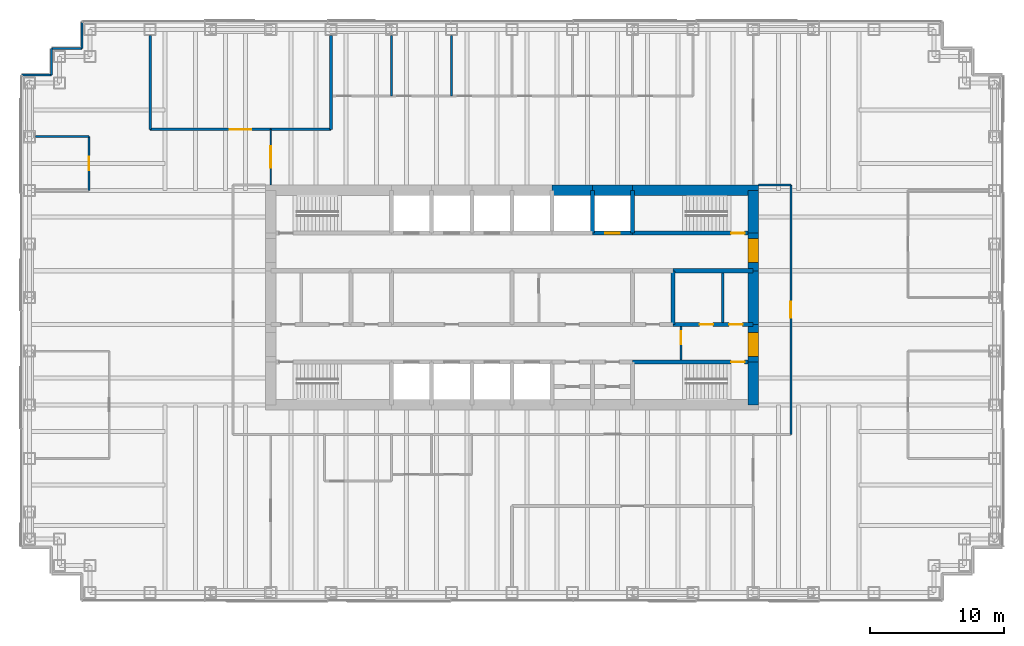
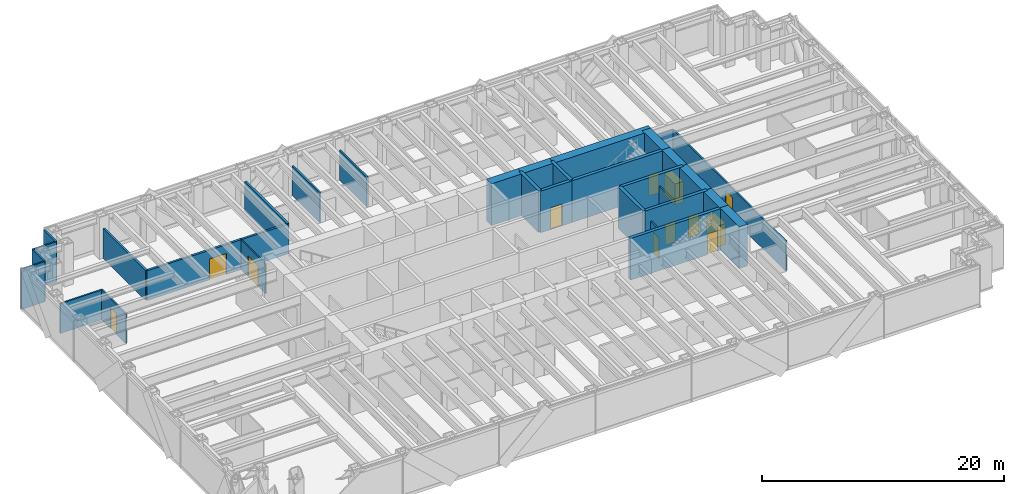
# One storey, part 12 of 14: 32 walls, 12 doors, 12 openings.
"""IFC4 building model written with IfcOpenShell, lengths in metres."""

from ifc_helpers import new_model, si_unit, direction, frame, frame_2d, origin, place, context, subcontext, project, spatial, rectangle, extrude, material, layer, layer_set, type_object, element, fill, save


model = new_model("IFC4")

# Units and contexts
model_context = context("Model", 3, precision=1e-05, world=origin(), true_north=direction((0.0, 1.0)))
body_context = subcontext(model_context, "Body", "Model", "MODEL_VIEW")
ifc_project = project(units=[si_unit("LENGTHUNIT", "METRE"), si_unit("AREAUNIT", "SQUARE_METRE"), si_unit("VOLUMEUNIT", "CUBIC_METRE"), si_unit("PLANEANGLEUNIT", "RADIAN"), si_unit("MASSUNIT", "GRAM", prefix="KILO")], contexts=[model_context])

# Site, building, storey
site_placement = place(None, origin())
site = spatial("IfcSite", under=ifc_project, at=site_placement, CompositionType="ELEMENT")
building_placement = place(site_placement, origin())
building = spatial("IfcBuilding", under=site, at=building_placement, Name="Rheinbord Bourse Tower", CompositionType="ELEMENT")
storey_placement = place(building_placement, frame((0.0, 0.0, 232.0)))
storey = spatial("IfcBuildingStorey", under=building, at=storey_placement, Name="L52", CompositionType="ELEMENT", Elevation=232.0)

# Wall, opening, door
ifc_material_1 = material(Name="Acoustic gypsum board partition", Category="gypsum board")
ifc_layer_1 = layer(ifc_material_1, 0.199951171875)
ifc_layer_set_1 = layer_set([ifc_layer_1], Name="ACOUSTIC PARTITION 200")
wall_type_1 = type_object("IfcWallType", Name="ACOUSTIC PARTITION 200", PredefinedType="PARTITIONING", material=ifc_layer_set_1)
wall_1_placement = place(storey_placement, frame((9.0, 36.550048828125, 0.0), z_axis=(0.0, 0.0, 1.0), x_axis=(1.0, 0.0, 0.0)))
wall_1 = element("IfcWall", 1, at=wall_1_placement, inside=storey, type_object=wall_type_1, Name="Partition L52-17", PredefinedType="PARTITIONING", context=body_context, shape_type="SweptSolid", body=[
    extrude(rectangle(XDim=13.5, YDim=0.199951171875, at=frame_2d((6.75, 0.0))), origin(), (0.0, 0.0, 1.0), 3.0),
])
opening_1_placement = place(wall_1_placement, frame((5.949951171875, 0.0, 0.0)))
opening_1 = element("IfcOpeningElement", 2, at=opening_1_placement, cuts=wall_1, Name="Opening 52D09", PredefinedType="OPENING", context=body_context, shape_type="SweptSolid", body=[
    extrude(rectangle(XDim=1.60009765625, YDim=2.10009765625, at=frame_2d((0.800048828125, 1.050048828125))), frame((0.0, 0.10986328125, 0.0), z_axis=(0.0, -1.0, 0.0), x_axis=(1.0, 0.0, 0.0)), (0.0, 0.0, 1.0), 0.219970703125),
])
ifc_material_2 = material(Name="Timber door", Category="wood")
door_type_1 = type_object("IfcDoorType", Name="DOUBLE ROOM DOOR 1600", OperationType="DOUBLE_DOOR_DOUBLE_SWING", PredefinedType="DOOR", material=ifc_material_2)
door_1_placement = place(opening_1_placement, origin())
door_1 = element("IfcDoor", 3, at=door_1_placement, inside=storey, type_object=door_type_1, Name="Board room door L52", OperationType="SINGLE_SWING_LEFT", OverallHeight=2.10009765625, OverallWidth=1.60009765625, PredefinedType="DOOR", context=body_context, shape_type="SweptSolid", body=[
    extrude(rectangle(XDim=1.60009765625, YDim=2.10009765625, at=frame_2d((0.800048828125, 1.050048828125))), frame((0.0, 0.02490234375, 0.0), z_axis=(0.0, -1.0, 0.0), x_axis=(1.0, 0.0, 0.0)), (0.0, 0.0, 1.0), 0.050048828125),
])
fill(opening_1, door_1)

# Walls
for number, where, z_axis, x_axis, name in (
    (4, (9.0, 36.550048828125, 0.0), (0.0, 0.0, 1.0), (0.0, 1.0, 0.0), "Partition L52-21"),
    (5, (22.5, 36.550048828125, 0.0), (0.0, 0.0, 1.0), (0.0, 1.0, 0.0), "Partition L52-26"),
):
    element("IfcWall", number, at=place(storey_placement, frame(where, z_axis=z_axis, x_axis=x_axis)), inside=storey, type_object=wall_type_1, Name=name, PredefinedType="PARTITIONING", context=body_context, shape_type="SweptSolid", body=[
        extrude(rectangle(XDim=7.0, YDim=0.199951171875, at=frame_2d((3.5, 0.0))), origin(), (0.0, 0.0, 1.0), 3.0),
    ])

# Wall, opening, door
ifc_material_3 = material(Name="Concrete C50/60", Category="concrete")
ifc_layer_2 = layer(ifc_material_3, 0.300048828125)
ifc_layer_set_2 = layer_set([ifc_layer_2], Name="CORE INNER WALL 300")
wall_type_2 = type_object("IfcWallType", Name="CORE INNER WALL 300", PredefinedType="SOLIDWALL", material=ifc_layer_set_2)
wall_2_placement = place(storey_placement, frame((45.0, 19.199951171875, 0.0), z_axis=(0.0, 0.0, 1.0), x_axis=(1.0, 0.0, 0.0)))
wall_2 = element("IfcWall", 6, at=wall_2_placement, inside=storey, type_object=wall_type_2, Name="Core wall A8 L52", PredefinedType="SOLIDWALL", context=body_context, shape_type="SweptSolid", body=[
    extrude(rectangle(XDim=9.0, YDim=0.300048828125, at=frame_2d((4.5, 0.0))), origin(), (0.0, 0.0, 1.0), 4.199951171875),
])
opening_2_placement = place(wall_2_placement, frame((7.35009765625, 0.0, 0.0)))
opening_2 = element("IfcOpeningElement", 7, at=opening_2_placement, cuts=wall_2, Name="Opening 5230", PredefinedType="OPENING", context=body_context, shape_type="SweptSolid", body=[
    extrude(rectangle(XDim=1.0, YDim=2.10009765625, at=frame_2d((0.5, 1.050048828125))), frame((0.0, 0.159912109375, 0.0), z_axis=(0.0, -1.0, 0.0), x_axis=(1.0, 0.0, 0.0)), (0.0, 0.0, 1.0), 0.320068359375),
])
ifc_material_4 = material(Name="Steel door", Category="steel")
door_type_2 = type_object("IfcDoorType", Name="DOOR 1000 EI30", OperationType="SINGLE_SWING_LEFT", PredefinedType="DOOR", material=ifc_material_4)
door_2_placement = place(opening_2_placement, origin())
door_2 = element("IfcDoor", 8, at=door_2_placement, inside=storey, type_object=door_type_2, Name="Stair door ST3 L52", OperationType="SINGLE_SWING_RIGHT", OverallHeight=2.10009765625, OverallWidth=1.0, PredefinedType="DOOR", context=body_context, shape_type="SweptSolid", body=[
    extrude(rectangle(XDim=1.0, YDim=2.10009765625, at=frame_2d((0.5, 1.050048828125))), frame((0.0, 0.02490234375, 0.0), z_axis=(0.0, -1.0, 0.0), x_axis=(1.0, 0.0, 0.0)), (0.0, 0.0, 1.0), 0.050048828125),
])
fill(opening_2, door_2)

wall_3_placement = place(storey_placement, frame((42.0, 28.800048828125, 0.0), z_axis=(0.0, 0.0, 1.0), x_axis=(1.0, 0.0, 0.0)))
wall_3 = element("IfcWall", 9, at=wall_3_placement, inside=storey, type_object=wall_type_2, Name="Core wall B7 L52", PredefinedType="SOLIDWALL", context=body_context, shape_type="SweptSolid", body=[
    extrude(rectangle(XDim=3.0, YDim=0.300048828125, at=frame_2d((1.5, 0.0))), origin(), (0.0, 0.0, 1.0), 4.199951171875),
])
opening_3_placement = place(wall_3_placement, frame((0.949951171875, 0.0, 0.0)))
opening_3 = element("IfcOpeningElement", 10, at=opening_3_placement, cuts=wall_3, Name="Opening FL2", PredefinedType="OPENING", context=body_context, shape_type="SweptSolid", body=[
    extrude(rectangle(XDim=1.10009765625, YDim=2.199951171875, at=frame_2d((0.550048828125, 1.10009765625))), frame((0.0, 0.159912109375, 0.0), z_axis=(0.0, -1.0, 0.0), x_axis=(1.0, 0.0, 0.0)), (0.0, 0.0, 1.0), 0.320068359375),
])
ifc_material_5 = material(Name="Steel landing door", Category="steel")
door_type_3 = type_object("IfcDoorType", Name="LIFT LANDING DOOR 1100", OperationType="DOUBLE_DOOR_SLIDING", PredefinedType="USERDEFINED", material=ifc_material_5)
door_3_placement = place(opening_3_placement, origin())
door_3 = element("IfcDoor", 11, at=door_3_placement, inside=storey, type_object=door_type_3, Name="Lift landing door FL2 L52", ObjectType="LIFT LANDING DOOR", OperationType="DOUBLE_DOOR_SLIDING", OverallHeight=2.199951171875, OverallWidth=1.10009765625, PredefinedType="USERDEFINED", context=body_context, shape_type="SweptSolid", body=[
    extrude(rectangle(XDim=1.10009765625, YDim=2.199951171875, at=frame_2d((0.550048828125, 1.10009765625))), frame((0.0, 0.02490234375, 0.0), z_axis=(0.0, -1.0, 0.0), x_axis=(1.0, 0.0, 0.0)), (0.0, 0.0, 1.0), 0.050048828125),
])
fill(opening_3, door_3)

wall_4_placement = place(storey_placement, frame((45.0, 28.800048828125, 0.0), z_axis=(0.0, 0.0, 1.0), x_axis=(1.0, 0.0, 0.0)))
wall_4 = element("IfcWall", 12, at=wall_4_placement, inside=storey, type_object=wall_type_2, Name="Core wall B8 L52", PredefinedType="SOLIDWALL", context=body_context, shape_type="SweptSolid", body=[
    extrude(rectangle(XDim=9.0, YDim=0.300048828125, at=frame_2d((4.5, 0.0))), origin(), (0.0, 0.0, 1.0), 4.199951171875),
])
opening_4_placement = place(wall_4_placement, frame((7.35009765625, 0.0, 0.0)))
opening_4 = element("IfcOpeningElement", 13, at=opening_4_placement, cuts=wall_4, Name="Opening 5240", PredefinedType="OPENING", context=body_context, shape_type="SweptSolid", body=[
    extrude(rectangle(XDim=1.0, YDim=2.10009765625, at=frame_2d((0.5, 1.050048828125))), frame((0.0, 0.159912109375, 0.0), z_axis=(0.0, -1.0, 0.0), x_axis=(1.0, 0.0, 0.0)), (0.0, 0.0, 1.0), 0.320068359375),
])
door_4_placement = place(opening_4_placement, origin())
door_4 = element("IfcDoor", 14, at=door_4_placement, inside=storey, type_object=door_type_2, Name="Stair door ST4 L52", OperationType="SINGLE_SWING_RIGHT", OverallHeight=2.10009765625, OverallWidth=1.0, PredefinedType="DOOR", context=body_context, shape_type="SweptSolid", body=[
    extrude(rectangle(XDim=1.0, YDim=2.10009765625, at=frame_2d((0.5, 1.050048828125))), frame((0.0, 0.02490234375, 0.0), z_axis=(0.0, -1.0, 0.0), x_axis=(1.0, 0.0, 0.0)), (0.0, 0.0, 1.0), 0.050048828125),
])
fill(opening_4, door_4)

# Wall, openings, doors
wall_5_placement = place(storey_placement, frame((48.0, 22.0, 0.0), z_axis=(0.0, 0.0, 1.0), x_axis=(1.0, 0.0, 0.0)))
wall_5 = element("IfcWall", 15, at=wall_5_placement, inside=storey, type_object=wall_type_2, Name="Core wall C6 L52", PredefinedType="SOLIDWALL", context=body_context, shape_type="SweptSolid", body=[
    extrude(rectangle(XDim=6.0, YDim=0.300048828125, at=frame_2d((3.0, 0.0))), origin(), (0.0, 0.0, 1.0), 4.199951171875),
])
opening_5_placement = place(wall_5_placement, frame((2.0, 0.0, 0.0)))
opening_5 = element("IfcOpeningElement", 16, at=opening_5_placement, cuts=wall_5, Name="Opening 52R6", PredefinedType="OPENING", context=body_context, shape_type="SweptSolid", body=[
    extrude(rectangle(XDim=1.0, YDim=2.10009765625, at=frame_2d((0.5, 1.050048828125))), frame((0.0, 0.159912109375, 0.0), z_axis=(0.0, -1.0, 0.0), x_axis=(1.0, 0.0, 0.0)), (0.0, 0.0, 1.0), 0.320068359375),
])
opening_6_placement = place(wall_5_placement, frame((4.199951171875, 0.0, 0.0)))
opening_6 = element("IfcOpeningElement", 17, at=opening_6_placement, cuts=wall_5, Name="Opening 52R10", PredefinedType="OPENING", context=body_context, shape_type="SweptSolid", body=[
    extrude(rectangle(XDim=1.0, YDim=2.10009765625, at=frame_2d((0.5, 1.050048828125))), frame((0.0, 0.159912109375, 0.0), z_axis=(0.0, -1.0, 0.0), x_axis=(1.0, 0.0, 0.0)), (0.0, 0.0, 1.0), 0.320068359375),
])
door_5_placement = place(opening_6_placement, origin())
door_5 = element("IfcDoor", 18, at=door_5_placement, inside=storey, type_object=door_type_2, Name="Cleaner's store door L52", OperationType="SINGLE_SWING_RIGHT", OverallHeight=2.10009765625, OverallWidth=1.0, PredefinedType="DOOR", context=body_context, shape_type="SweptSolid", body=[
    extrude(rectangle(XDim=1.0, YDim=2.10009765625, at=frame_2d((0.5, 1.050048828125))), frame((0.0, 0.02490234375, 0.0), z_axis=(0.0, -1.0, 0.0), x_axis=(1.0, 0.0, 0.0)), (0.0, 0.0, 1.0), 0.050048828125),
])
fill(opening_6, door_5)
ifc_material_6 = material(Name="Timber door", Category="wood")
door_type_4 = type_object("IfcDoorType", Name="DOOR 1000 WC", OperationType="SINGLE_SWING_LEFT", PredefinedType="DOOR", material=ifc_material_6)
door_6_placement = place(opening_5_placement, origin())
door_6 = element("IfcDoor", 19, at=door_6_placement, inside=storey, type_object=door_type_4, Name="WC women door L52", OperationType="SINGLE_SWING_LEFT", OverallHeight=2.10009765625, OverallWidth=1.0, PredefinedType="DOOR", context=body_context, shape_type="SweptSolid", body=[
    extrude(rectangle(XDim=1.0, YDim=2.10009765625, at=frame_2d((0.5, 1.050048828125))), frame((0.0, 0.02490234375, 0.0), z_axis=(0.0, -1.0, 0.0), x_axis=(1.0, 0.0, 0.0)), (0.0, 0.0, 1.0), 0.050048828125),
])
fill(opening_5, door_6)

# Walls
wall_6_placement = place(storey_placement, frame((48.0, 26.0, 0.0), z_axis=(0.0, 0.0, 1.0), x_axis=(1.0, 0.0, 0.0)))
element("IfcWall", 20, at=wall_6_placement, inside=storey, type_object=wall_type_2, Name="Core wall D6 L52", PredefinedType="SOLIDWALL", context=body_context, shape_type="SweptSolid", body=[
    extrude(rectangle(XDim=6.0, YDim=0.300048828125, at=frame_2d((3.0, 0.0))), origin(), (0.0, 0.0, 1.0), 4.199951171875),
])
for number, where, z_axis, x_axis, name in (
    (21, (42.0, 28.800048828125, 0.0), (0.0, 0.0, 1.0), (0.0, 1.0, 0.0), "Core wall NX42 L52"),
    (22, (45.0, 28.800048828125, 0.0), (0.0, 0.0, 1.0), (0.0, 1.0, 0.0), "Core wall NX45 L52"),
):
    element("IfcWall", number, at=place(storey_placement, frame(where, z_axis=z_axis, x_axis=x_axis)), inside=storey, type_object=wall_type_2, Name=name, PredefinedType="SOLIDWALL", context=body_context, shape_type="SweptSolid", body=[
        extrude(rectangle(XDim=3.199951171875, YDim=0.300048828125, at=frame_2d((1.60009765625, 0.0))), origin(), (0.0, 0.0, 1.0), 4.199951171875),
    ])
wall_7_placement = place(storey_placement, frame((48.0, 22.0, 0.0), z_axis=(0.0, 0.0, 1.0), x_axis=(0.0, 1.0, 0.0)))
element("IfcWall", 23, at=wall_7_placement, inside=storey, type_object=wall_type_2, Name="Core wall MX48 L52", PredefinedType="SOLIDWALL", context=body_context, shape_type="SweptSolid", body=[
    extrude(rectangle(XDim=4.0, YDim=0.300048828125, at=frame_2d((2.0, 0.0))), origin(), (0.0, 0.0, 1.0), 4.199951171875),
])
ifc_material_7 = material(Name="Gypsum board fire partition", Category="gypsum board")
ifc_layer_3 = layer(ifc_material_7, 0.14990234375)
ifc_layer_set_3 = layer_set([ifc_layer_3], Name="CORE PARTITION 150 EI30")
wall_type_3 = type_object("IfcWallType", Name="CORE PARTITION 150 EI30", PredefinedType="PARTITIONING", material=ifc_layer_set_3)
wall_8_placement = place(storey_placement, frame((51.72509765625, 22.14990234375, 0.0), z_axis=(0.0, 0.0, 1.0), x_axis=(0.0, 1.0, 0.0)))
element("IfcWall", 24, at=wall_8_placement, inside=storey, type_object=wall_type_3, Name="Core partition L52-3", PredefinedType="PARTITIONING", context=body_context, shape_type="SweptSolid", body=[
    extrude(rectangle(XDim=3.7001953125, YDim=0.14990234375, at=frame_2d((1.85009765625, 0.0))), origin(), (0.0, 0.0, 1.0), 3.0),
])

# Wall, opening, door
wall_9_placement = place(storey_placement, frame((48.60009765625, 19.35009765625, 0.0), z_axis=(0.0, 0.0, 1.0), x_axis=(0.0, 1.0, 0.0)))
wall_9 = element("IfcWall", 25, at=wall_9_placement, inside=storey, type_object=wall_type_3, Name="Core partition L52-4", PredefinedType="PARTITIONING", context=body_context, shape_type="SweptSolid", body=[
    extrude(rectangle(XDim=2.5, YDim=0.14990234375, at=frame_2d((1.25, 0.0))), origin(), (0.0, 0.0, 1.0), 3.0),
])
opening_7_placement = place(wall_9_placement, frame((1.14990234375, 0.0, 0.0)))
opening_7 = element("IfcOpeningElement", 26, at=opening_7_placement, cuts=wall_9, Name="Opening 52L5", PredefinedType="OPENING", context=body_context, shape_type="SweptSolid", body=[
    extrude(rectangle(XDim=1.0, YDim=2.10009765625, at=frame_2d((0.5, 1.050048828125))), frame((0.0, 0.0849609375, 0.0), z_axis=(0.0, -1.0, 0.0), x_axis=(1.0, 0.0, 0.0)), (0.0, 0.0, 1.0), 0.169921875),
])
door_7_placement = place(opening_7_placement, origin())
door_7 = element("IfcDoor", 27, at=door_7_placement, inside=storey, type_object=door_type_2, Name="Stair lobby door L52", OperationType="SINGLE_SWING_RIGHT", OverallHeight=2.10009765625, OverallWidth=1.0, PredefinedType="DOOR", context=body_context, shape_type="SweptSolid", body=[
    extrude(rectangle(XDim=1.0, YDim=2.10009765625, at=frame_2d((0.5, 1.050048828125))), frame((0.0, 0.02490234375, 0.0), z_axis=(0.0, -1.0, 0.0), x_axis=(1.0, 0.0, 0.0)), (0.0, 0.0, 1.0), 0.050048828125),
])
fill(opening_7, door_7)

# Walls
ifc_material_8 = material(Name="Concrete C50/60", Category="concrete")
ifc_layer_4 = layer(ifc_material_8, 0.800048828125)
ifc_layer_set_4 = layer_set([ifc_layer_4], Name="CORE WALL 800")
wall_type_4 = type_object("IfcWallType", Name="CORE WALL 800", PredefinedType="SHEAR", material=ifc_layer_set_4)
wall_10_placement = place(storey_placement, frame((54.39990234375, 32.0, 0.0), z_axis=(0.0, 0.0, 1.0), x_axis=(-1.0, 0.0, 0.0)))
element("IfcWall", 28, at=wall_10_placement, inside=storey, type_object=wall_type_4, Name="Core wall N1 L52", PredefinedType="SHEAR", context=body_context, shape_type="SweptSolid", body=[
    extrude(rectangle(XDim=9.39990234375, YDim=0.800048828125, at=frame_2d((4.699951171875, 0.0))), origin(), (0.0, 0.0, 1.0), 4.199951171875),
])
for number, where, z_axis, x_axis, name in (
    (29, (45.0, 32.0, 0.0), (0.0, 0.0, 1.0), (-1.0, 0.0, 0.0), "Core wall N2 L52"),
    (30, (42.0, 32.0, 0.0), (0.0, 0.0, 1.0), (-1.0, 0.0, 0.0), "Core wall N3 L52"),
):
    element("IfcWall", number, at=place(storey_placement, frame(where, z_axis=z_axis, x_axis=x_axis)), inside=storey, type_object=wall_type_4, Name=name, PredefinedType="SHEAR", context=body_context, shape_type="SweptSolid", body=[
        extrude(rectangle(XDim=3.0, YDim=0.800048828125, at=frame_2d((1.5, 0.0))), origin(), (0.0, 0.0, 1.0), 4.199951171875),
    ])
wall_11_placement = place(storey_placement, frame((54.0, 16.0, 0.0), z_axis=(0.0, 0.0, 1.0), x_axis=(0.0, 1.0, 0.0)))
element("IfcWall", 31, at=wall_11_placement, inside=storey, type_object=wall_type_4, Name="Core wall E1 L52", PredefinedType="SHEAR", context=body_context, shape_type="SweptSolid", body=[
    extrude(rectangle(XDim=3.199951171875, YDim=0.800048828125, at=frame_2d((1.60009765625, 0.0))), origin(), (0.0, 0.0, 1.0), 4.199951171875),
])

# Wall, opening, door
wall_12_placement = place(storey_placement, frame((54.0, 19.199951171875, 0.0), z_axis=(0.0, 0.0, 1.0), x_axis=(0.0, 1.0, 0.0)))
wall_12 = element("IfcWall", 32, at=wall_12_placement, inside=storey, type_object=wall_type_4, Name="Core wall E2 L52", PredefinedType="SHEAR", context=body_context, shape_type="SweptSolid", body=[
    extrude(rectangle(XDim=2.800048828125, YDim=0.800048828125, at=frame_2d((1.39990234375, 0.0))), origin(), (0.0, 0.0, 1.0), 4.199951171875),
])
opening_8_placement = place(wall_12_placement, frame((0.39990234375, 0.0, 0.0)))
opening_8 = element("IfcOpeningElement", 33, at=opening_8_placement, cuts=wall_12, Name="Opening 52L3", PredefinedType="OPENING", context=body_context, shape_type="SweptSolid", body=[
    extrude(rectangle(XDim=1.800048828125, YDim=2.10009765625, at=frame_2d((0.89990234375, 1.050048828125))), frame((0.0, 0.409912109375, 0.0), z_axis=(0.0, -1.0, 0.0), x_axis=(1.0, 0.0, 0.0)), (0.0, 0.0, 1.0), 0.820068359375),
])
ifc_material_9 = material(Name="Steel door", Category="steel")
door_type_5 = type_object("IfcDoorType", Name="DOOR 1800 EI30 DOUBLE", OperationType="DOUBLE_DOOR_DOUBLE_SWING", PredefinedType="DOOR", material=ifc_material_9)
door_8_placement = place(opening_8_placement, origin())
door_8 = element("IfcDoor", 34, at=door_8_placement, inside=storey, type_object=door_type_5, Name="Lobby door 3 L52", OperationType="SINGLE_SWING_LEFT", OverallHeight=2.10009765625, OverallWidth=1.800048828125, PredefinedType="DOOR", context=body_context, shape_type="SweptSolid", body=[
    extrude(rectangle(XDim=1.800048828125, YDim=2.10009765625, at=frame_2d((0.89990234375, 1.050048828125))), frame((0.0, 0.39990234375, 0.0), z_axis=(0.0, -1.0, 0.0), x_axis=(1.0, 0.0, 0.0)), (0.0, 0.0, 1.0), 0.799560546875),
])
fill(opening_8, door_8)

# Wall
wall_13_placement = place(storey_placement, frame((54.0, 22.0, 0.0), z_axis=(0.0, 0.0, 1.0), x_axis=(0.0, 1.0, 0.0)))
element("IfcWall", 35, at=wall_13_placement, inside=storey, type_object=wall_type_4, Name="Core wall E3 L52", PredefinedType="SHEAR", context=body_context, shape_type="SweptSolid", body=[
    extrude(rectangle(XDim=4.0, YDim=0.800048828125, at=frame_2d((2.0, 0.0))), origin(), (0.0, 0.0, 1.0), 4.199951171875),
])

# Wall, opening, door
wall_14_placement = place(storey_placement, frame((54.0, 26.0, 0.0), z_axis=(0.0, 0.0, 1.0), x_axis=(0.0, 1.0, 0.0)))
wall_14 = element("IfcWall", 36, at=wall_14_placement, inside=storey, type_object=wall_type_4, Name="Core wall E4 L52", PredefinedType="SHEAR", context=body_context, shape_type="SweptSolid", body=[
    extrude(rectangle(XDim=2.800048828125, YDim=0.800048828125, at=frame_2d((1.39990234375, 0.0))), origin(), (0.0, 0.0, 1.0), 4.199951171875),
])
opening_9_placement = place(wall_14_placement, frame((0.60009765625, 0.0, 0.0)))
opening_9 = element("IfcOpeningElement", 37, at=opening_9_placement, cuts=wall_14, Name="Opening 52L4", PredefinedType="OPENING", context=body_context, shape_type="SweptSolid", body=[
    extrude(rectangle(XDim=1.800048828125, YDim=2.10009765625, at=frame_2d((0.89990234375, 1.050048828125))), frame((0.0, 0.409912109375, 0.0), z_axis=(0.0, -1.0, 0.0), x_axis=(1.0, 0.0, 0.0)), (0.0, 0.0, 1.0), 0.820068359375),
])
door_9_placement = place(opening_9_placement, origin())
door_9 = element("IfcDoor", 38, at=door_9_placement, inside=storey, type_object=door_type_5, Name="Lobby door 4 L52", OperationType="SINGLE_SWING_LEFT", OverallHeight=2.10009765625, OverallWidth=1.800048828125, PredefinedType="DOOR", context=body_context, shape_type="SweptSolid", body=[
    extrude(rectangle(XDim=1.800048828125, YDim=2.10009765625, at=frame_2d((0.89990234375, 1.050048828125))), frame((0.0, 0.39990234375, 0.0), z_axis=(0.0, -1.0, 0.0), x_axis=(1.0, 0.0, 0.0)), (0.0, 0.0, 1.0), 0.799560546875),
])
fill(opening_9, door_9)

# Walls
wall_15_placement = place(storey_placement, frame((54.0, 28.800048828125, 0.0), z_axis=(0.0, 0.0, 1.0), x_axis=(0.0, 1.0, 0.0)))
element("IfcWall", 39, at=wall_15_placement, inside=storey, type_object=wall_type_4, Name="Core wall E5 L52", PredefinedType="SHEAR", context=body_context, shape_type="SweptSolid", body=[
    extrude(rectangle(XDim=3.199951171875, YDim=0.800048828125, at=frame_2d((1.60009765625, 0.0))), origin(), (0.0, 0.0, 1.0), 4.199951171875),
])
ifc_material_10 = material(Name="Black metal rainscreen panel", Category="aluminium")
ifc_layer_5 = layer(ifc_material_10, 0.14990234375)
ifc_layer_set_5 = layer_set([ifc_layer_5], Name="CORNER PIER CLADDING 150")
wall_type_5 = type_object("IfcWallType", Name="CORNER PIER CLADDING 150", PredefinedType="ELEMENTEDWALL", material=ifc_layer_set_5)
wall_16_placement = place(storey_placement, frame((3.89990234375, 44.60009765625, 0.0), z_axis=(0.0, 0.0, 1.0), x_axis=(0.0, -1.0, 0.0)))
element("IfcWall", 40, at=wall_16_placement, inside=storey, type_object=wall_type_5, Name="Corner pier cladding L52 12", PredefinedType="ELEMENTEDWALL", context=body_context, shape_type="SweptSolid", body=[
    extrude(rectangle(XDim=2.0, YDim=0.14990234375, at=frame_2d((1.0, 0.0))), origin(), (0.0, 0.0, 1.0), 4.0400390625),
])
wall_17_placement = place(storey_placement, frame((3.89990234375, 42.60009765625, 0.0), z_axis=(0.0, 0.0, 1.0), x_axis=(-1.0, 0.0, 0.0)))
element("IfcWall", 41, at=wall_17_placement, inside=storey, type_object=wall_type_5, Name="Corner pier cladding L52 13", PredefinedType="ELEMENTEDWALL", context=body_context, shape_type="SweptSolid", body=[
    extrude(rectangle(XDim=2.25, YDim=0.14990234375, at=frame_2d((1.125, 0.0))), origin(), (0.0, 0.0, 1.0), 4.0400390625),
])
wall_18_placement = place(storey_placement, frame((1.64990234375, 42.60009765625, 0.0), z_axis=(0.0, 0.0, 1.0), x_axis=(0.0, -1.0, 0.0)))
element("IfcWall", 42, at=wall_18_placement, inside=storey, type_object=wall_type_5, Name="Corner pier cladding L52 14", PredefinedType="ELEMENTEDWALL", context=body_context, shape_type="SweptSolid", body=[
    extrude(rectangle(XDim=2.0, YDim=0.14990234375, at=frame_2d((1.0, 0.0))), origin(), (0.0, 0.0, 1.0), 4.0400390625),
])
wall_19_placement = place(storey_placement, frame((1.64990234375, 40.60009765625, 0.0), z_axis=(0.0, 0.0, 1.0), x_axis=(-1.0, 0.0, 0.0)))
element("IfcWall", 43, at=wall_19_placement, inside=storey, type_object=wall_type_5, Name="Corner pier cladding L52 15", PredefinedType="ELEMENTEDWALL", context=body_context, shape_type="SweptSolid", body=[
    extrude(rectangle(XDim=2.25, YDim=0.14990234375, at=frame_2d((1.125, 0.0))), origin(), (0.0, 0.0, 1.0), 4.0400390625),
])
ifc_material_11 = material(Name="Gypsum board corridor partition", Category="gypsum board")
ifc_layer_6 = layer(ifc_material_11, 0.14990234375)
ifc_layer_set_6 = layer_set([ifc_layer_6], Name="CORRIDOR PARTITION 150 EI30")
wall_type_6 = type_object("IfcWallType", Name="CORRIDOR PARTITION 150 EI30", PredefinedType="PARTITIONING", material=ifc_layer_set_6)
wall_20_placement = place(storey_placement, frame((54.39990234375, 32.39990234375, 0.0), z_axis=(0.0, 0.0, 1.0), x_axis=(1.0, 0.0, 0.0)))
element("IfcWall", 44, at=wall_20_placement, inside=storey, type_object=wall_type_6, Name="Partition L52-15", PredefinedType="PARTITIONING", context=body_context, shape_type="SweptSolid", body=[
    extrude(rectangle(XDim=2.400146484375, YDim=0.14990234375, at=frame_2d((1.2001953125, 0.0))), origin(), (0.0, 0.0, 1.0), 3.0),
])

# Wall, opening, door
wall_21_placement = place(storey_placement, frame((56.800048828125, 13.800048828125, 0.0), z_axis=(0.0, 0.0, 1.0), x_axis=(0.0, 1.0, 0.0)))
wall_21 = element("IfcWall", 45, at=wall_21_placement, inside=storey, type_object=wall_type_6, Name="Partition L52-40", PredefinedType="PARTITIONING", context=body_context, shape_type="SweptSolid", body=[
    extrude(rectangle(XDim=18.599853515625, YDim=0.14990234375, at=frame_2d((9.2998046875, 0.0))), origin(), (0.0, 0.0, 1.0), 3.0),
])
opening_10_placement = place(wall_21_placement, frame((8.699951171875, 0.0, 0.0)))
opening_10 = element("IfcOpeningElement", 46, at=opening_10_placement, cuts=wall_21, Name="Opening 52D21", PredefinedType="OPENING", context=body_context, shape_type="SweptSolid", body=[
    extrude(rectangle(XDim=1.199951171875, YDim=2.10009765625, at=frame_2d((0.60009765625, 1.050048828125))), frame((0.0, 0.0849609375, 0.0), z_axis=(0.0, -1.0, 0.0), x_axis=(1.0, 0.0, 0.0)), (0.0, 0.0, 1.0), 0.169921875),
])
ifc_material_12 = material(Name="Timber fire door", Category="wood")
door_type_6 = type_object("IfcDoorType", Name="SUITE ENTRANCE DOOR 1200 EI30", OperationType="SINGLE_SWING_LEFT", PredefinedType="DOOR", material=ifc_material_12)
door_10_placement = place(opening_10_placement, origin())
door_10 = element("IfcDoor", 47, at=door_10_placement, inside=storey, type_object=door_type_6, Name="Suite entrance 2 door L52", OperationType="SINGLE_SWING_LEFT", OverallHeight=2.10009765625, OverallWidth=1.199951171875, PredefinedType="DOOR", context=body_context, shape_type="SweptSolid", body=[
    extrude(rectangle(XDim=1.199951171875, YDim=2.10009765625, at=frame_2d((0.60009765625, 1.050048828125))), frame((0.0, 0.02490234375, 0.0), z_axis=(0.0, -1.0, 0.0), x_axis=(1.0, 0.0, 0.0)), (0.0, 0.0, 1.0), 0.050048828125),
])
fill(opening_10, door_10)

ifc_material_13 = material(Name="Toughened laminated glass partition", Category="glass")
ifc_layer_7 = layer(ifc_material_13, 0.10009765625)
ifc_layer_set_7 = layer_set([ifc_layer_7], Name="GLAZED PARTITION 100")
wall_type_7 = type_object("IfcWallType", Name="GLAZED PARTITION 100", PredefinedType="PARTITIONING", material=ifc_layer_set_7)
wall_22_placement = place(storey_placement, frame((18.0, 32.39990234375, 0.0), z_axis=(0.0, 0.0, 1.0), x_axis=(0.0, 1.0, 0.0)))
wall_22 = element("IfcWall", 48, at=wall_22_placement, inside=storey, type_object=wall_type_7, Name="Partition L52-24", PredefinedType="PARTITIONING", context=body_context, shape_type="SweptSolid", body=[
    extrude(rectangle(XDim=4.150146484375, YDim=0.10009765625, at=frame_2d((2.0751953125, 0.0))), origin(), (0.0, 0.0, 1.0), 3.0),
])
opening_11_placement = place(wall_22_placement, frame((1.27490234375, 0.0, 0.0)))
opening_11 = element("IfcOpeningElement", 49, at=opening_11_placement, cuts=wall_22, Name="Opening 52D17", PredefinedType="OPENING", context=body_context, shape_type="SweptSolid", body=[
    extrude(rectangle(XDim=1.60009765625, YDim=2.10009765625, at=frame_2d((0.800048828125, 1.050048828125))), frame((0.0, 0.06005859375, 0.0), z_axis=(0.0, -1.0, 0.0), x_axis=(1.0, 0.0, 0.0)), (0.0, 0.0, 1.0), 0.1201171875),
])
door_11_placement = place(opening_11_placement, origin())
door_11 = element("IfcDoor", 50, at=door_11_placement, inside=storey, type_object=door_type_1, Name="Open area door L52", OperationType="SINGLE_SWING_LEFT", OverallHeight=2.10009765625, OverallWidth=1.60009765625, PredefinedType="DOOR", context=body_context, shape_type="SweptSolid", body=[
    extrude(rectangle(XDim=1.60009765625, YDim=2.10009765625, at=frame_2d((0.800048828125, 1.050048828125))), frame((0.0, 0.02490234375, 0.0), z_axis=(0.0, -1.0, 0.0), x_axis=(1.0, 0.0, 0.0)), (0.0, 0.0, 1.0), 0.050048828125),
])
fill(opening_11, door_11)

# Wall
ifc_material_14 = material(Name="Gypsum board partition", Category="gypsum board")
ifc_layer_8 = layer(ifc_material_14, 0.14990234375)
ifc_layer_set_8 = layer_set([ifc_layer_8], Name="PARTITION 150")
wall_type_8 = type_object("IfcWallType", Name="PARTITION 150", PredefinedType="PARTITIONING", material=ifc_layer_set_8)
wall_23_placement = place(storey_placement, frame((0.449951171875, 36.0, 0.0), z_axis=(0.0, 0.0, 1.0), x_axis=(1.0, 0.0, 0.0)))
element("IfcWall", 51, at=wall_23_placement, inside=storey, type_object=wall_type_8, Name="Partition L52-16", PredefinedType="PARTITIONING", context=body_context, shape_type="SweptSolid", body=[
    extrude(rectangle(XDim=4.0, YDim=0.14990234375, at=frame_2d((2.0, 0.0))), origin(), (0.0, 0.0, 1.0), 3.0),
])

# Wall, opening, door
wall_24_placement = place(storey_placement, frame((4.449951171875, 32.0, 0.0), z_axis=(0.0, 0.0, 1.0), x_axis=(0.0, 1.0, 0.0)))
wall_24 = element("IfcWall", 52, at=wall_24_placement, inside=storey, type_object=wall_type_8, Name="Partition L52-19", PredefinedType="PARTITIONING", context=body_context, shape_type="SweptSolid", body=[
    extrude(rectangle(XDim=4.0, YDim=0.14990234375, at=frame_2d((2.0, 0.0))), origin(), (0.0, 0.0, 1.0), 3.0),
])
opening_12_placement = place(wall_24_placement, frame((1.5, 0.0, 0.0)))
opening_12 = element("IfcOpeningElement", 53, at=opening_12_placement, cuts=wall_24, Name="Opening 52D08", PredefinedType="OPENING", context=body_context, shape_type="SweptSolid", body=[
    extrude(rectangle(XDim=1.0, YDim=2.10009765625, at=frame_2d((0.5, 1.050048828125))), frame((0.0, 0.0849609375, 0.0), z_axis=(0.0, -1.0, 0.0), x_axis=(1.0, 0.0, 0.0)), (0.0, 0.0, 1.0), 0.169921875),
])
ifc_material_15 = material(Name="Timber door", Category="wood")
door_type_7 = type_object("IfcDoorType", Name="ROOM DOOR 1000", OperationType="SINGLE_SWING_LEFT", PredefinedType="DOOR", material=ifc_material_15)
door_12_placement = place(opening_12_placement, origin())
door_12 = element("IfcDoor", 54, at=door_12_placement, inside=storey, type_object=door_type_7, Name="Print room door L52", OperationType="SINGLE_SWING_LEFT", OverallHeight=2.10009765625, OverallWidth=1.0, PredefinedType="DOOR", context=body_context, shape_type="SweptSolid", body=[
    extrude(rectangle(XDim=1.0, YDim=2.10009765625, at=frame_2d((0.5, 1.050048828125))), frame((0.0, 0.02490234375, 0.0), z_axis=(0.0, -1.0, 0.0), x_axis=(1.0, 0.0, 0.0)), (0.0, 0.0, 1.0), 0.050048828125),
])
fill(opening_12, door_12)

# Walls
for number, where, z_axis, x_axis, name in (
    (55, (27.0, 39.050048828125, 0.0), (0.0, 0.0, 1.0), (0.0, 1.0, 0.0), "Partition L52-28"),
    (56, (31.5, 39.050048828125, 0.0), (0.0, 0.0, 1.0), (0.0, 1.0, 0.0), "Partition L52-30"),
):
    element("IfcWall", number, at=place(storey_placement, frame(where, z_axis=z_axis, x_axis=x_axis)), inside=storey, type_object=wall_type_8, Name=name, PredefinedType="PARTITIONING", context=body_context, shape_type="SweptSolid", body=[
        extrude(rectangle(XDim=4.5, YDim=0.14990234375, at=frame_2d((2.25, 0.0))), origin(), (0.0, 0.0, 1.0), 3.0),
    ])

save(model, "model.ifc")
